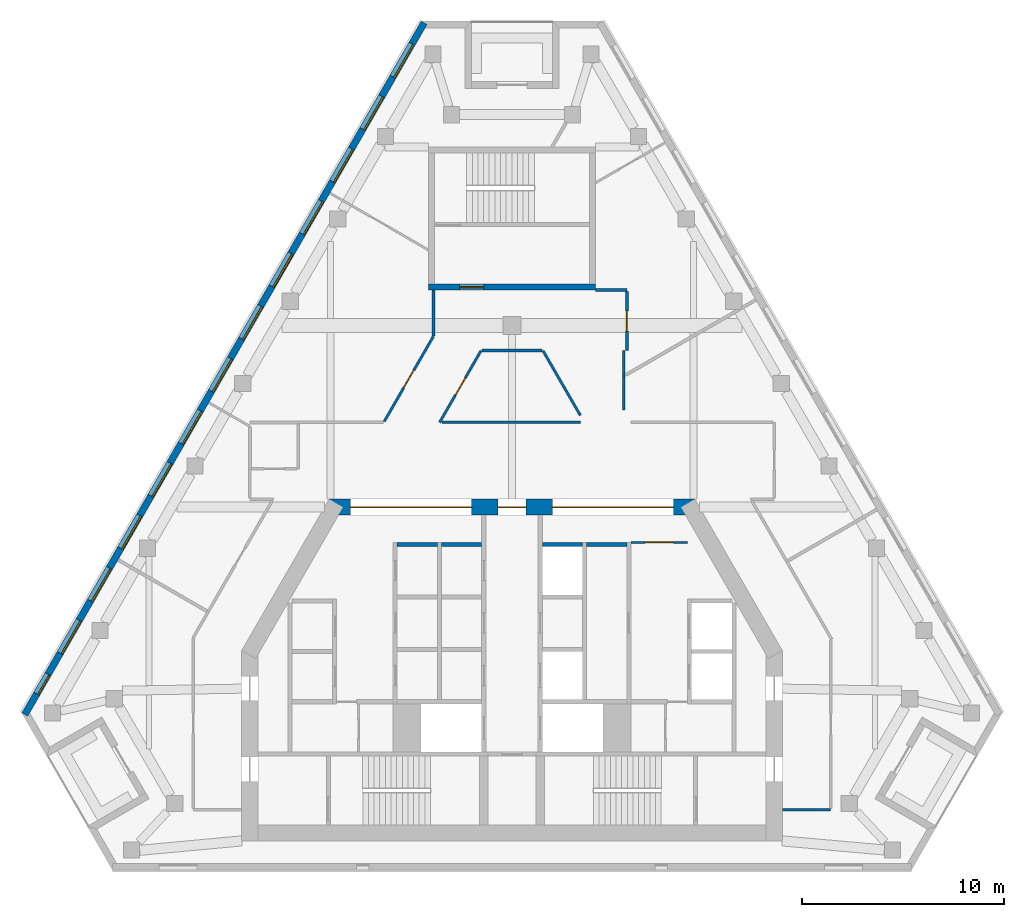
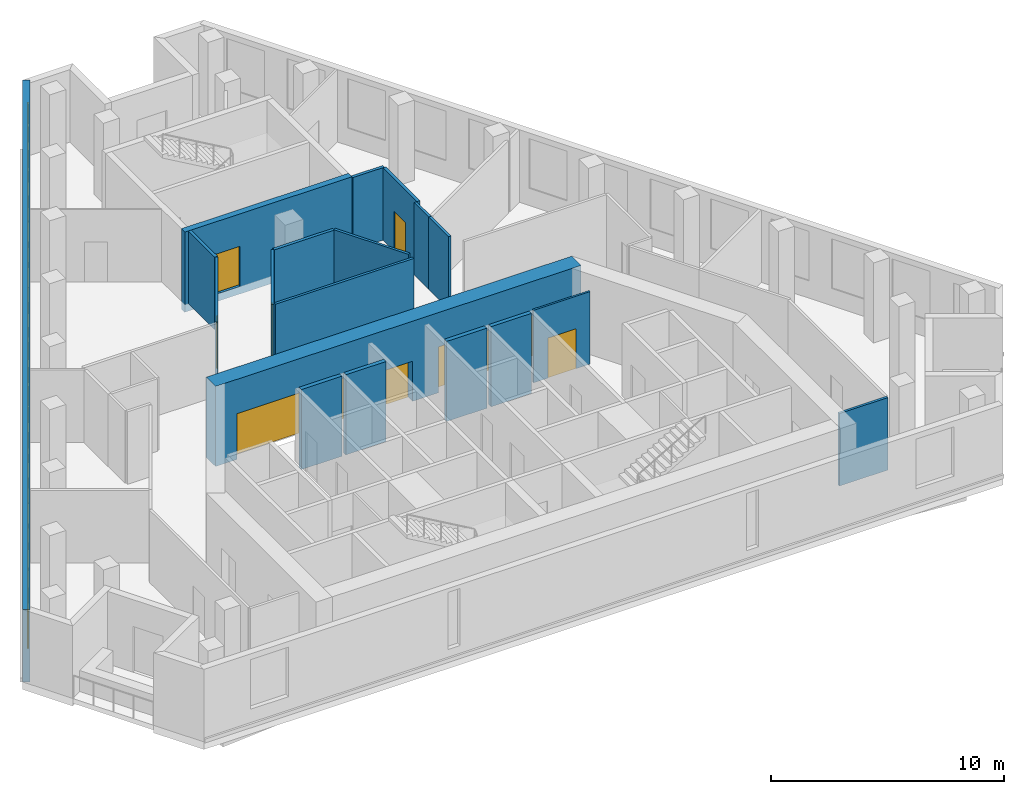
# One storey, part 4 of 8: 19 walls, 13 windows, 8 doors, 21 openings.
"""IFC4 building model written with IfcOpenShell, lengths in metres."""

from ifc_helpers import new_model, si_unit, direction, frame, frame_2d, origin, place, context, subcontext, project, spatial, rectangle, extrude, material, layer, layer_set, type_object, element, fill, save


model = new_model("IFC4")

# Units and contexts
model_context = context("Model", 3, precision=1e-05, world=origin(), true_north=direction((0.0, 1.0)))
body_context = subcontext(model_context, "Body", "Model", "MODEL_VIEW")
ifc_project = project(units=[si_unit("LENGTHUNIT", "METRE"), si_unit("AREAUNIT", "SQUARE_METRE"), si_unit("VOLUMEUNIT", "CUBIC_METRE"), si_unit("PLANEANGLEUNIT", "RADIAN"), si_unit("MASSUNIT", "GRAM", prefix="KILO")], contexts=[model_context])

# Site, building, storey
site_placement = place(None, origin())
site = spatial("IfcSite", under=ifc_project, at=site_placement, CompositionType="ELEMENT")
building_placement = place(site_placement, origin())
building = spatial("IfcBuilding", under=site, at=building_placement, Name="Fogline Exchange Tower", CompositionType="ELEMENT")
storey_placement = place(building_placement, frame((0.0, 0.0, 326.699951171875)))
storey = spatial("IfcBuildingStorey", under=building, at=storey_placement, Name="L74", CompositionType="ELEMENT", Elevation=326.699951171875)

# Wall, opening, door
ifc_material_1 = material(Name="Blockwork partition", Category="masonry")
ifc_layer_1 = layer(ifc_material_1, 0.10009765625)
ifc_layer_set_1 = layer_set([ifc_layer_1], Name="CW10")
wall_type_1 = type_object("IfcWallType", Name="CW10", PredefinedType="PARTITIONING", material=ifc_layer_set_1)
wall_1_placement = place(storey_placement, frame((5.89990234375, 16.25, 0.0), z_axis=(0.0, 0.0, 1.0), x_axis=(1.0, 0.0, 0.0)))
wall_1 = element("IfcWall", 1, at=wall_1_placement, inside=storey, type_object=wall_type_1, Name="Lift lobby partition", PredefinedType="PARTITIONING", context=body_context, shape_type="SweptSolid", body=[
    extrude(rectangle(XDim=2.800048828125, YDim=0.10009765625, at=frame_2d((1.39990234375, 0.0))), origin(), (0.0, 0.0, 1.0), 3.800048828125),
])
opening_1_placement = place(wall_1_placement, frame((0.699951171875, 0.0, 0.0)))
opening_1 = element("IfcOpeningElement", 2, at=opening_1_placement, cuts=wall_1, Name="Opening T23-C017", PredefinedType="OPENING", context=body_context, shape_type="SweptSolid", body=[
    extrude(rectangle(XDim=1.39990234375, YDim=2.10009765625, at=frame_2d((0.699951171875, 1.050048828125))), frame((0.0, 0.06005859375, 0.0), z_axis=(0.0, -1.0, 0.0), x_axis=(1.0, 0.0, 0.0)), (0.0, 0.0, 1.0), 0.1201171875),
])
ifc_material_2 = material(Name="Steel and timber fire door", Category="steel")
door_type_1 = type_object("IfcDoorType", Name="D-LB1", OperationType="DOUBLE_DOOR_SINGLE_SWING", PredefinedType="DOOR", material=ifc_material_2)
door_1_placement = place(opening_1_placement, origin())
door_1 = element("IfcDoor", 3, at=door_1_placement, inside=storey, type_object=door_type_1, Name="Door to lift lobby", OperationType="DOUBLE_DOOR_SINGLE_SWING", OverallHeight=2.10009765625, OverallWidth=1.39990234375, PredefinedType="DOOR", context=body_context, shape_type="SweptSolid", body=[
    extrude(rectangle(XDim=1.39990234375, YDim=2.10009765625, at=frame_2d((0.699951171875, 1.050048828125))), frame((0.0, 0.02490234375, 0.0), z_axis=(0.0, -1.0, 0.0), x_axis=(1.0, 0.0, 0.0)), (0.0, 0.0, 1.0), 0.050048828125),
])
fill(opening_1, door_1)

# Walls
ifc_material_3 = material(Name="Concrete C40", Category="concrete")
ifc_layer_2 = layer(ifc_material_3, 0.199951171875)
ifc_layer_set_2 = layer_set([ifc_layer_2], Name="CW20S")
wall_type_2 = type_object("IfcWallType", Name="CW20S", PredefinedType="SOLIDWALL", material=ifc_layer_set_2)
for number, where, z_axis, x_axis, name in (
    (4, (-5.699951171875, 16.14990234375, -0.39990234375), (0.0, 0.0, 1.0), (1.0, 0.0, 0.0), "Lift shaft wall"),
    (5, (-3.5, 16.14990234375, -0.39990234375), (0.0, 0.0, 1.0), (1.0, 0.0, 0.0), "Lift shaft wall"),
    (6, (3.699951171875, 16.14990234375, -0.39990234375), (0.0, 0.0, 1.0), (1.0, 0.0, 0.0), "Lift shaft wall"),
    (7, (1.5, 16.14990234375, -0.39990234375), (0.0, 0.0, 1.0), (1.0, 0.0, 0.0), "Lift shaft wall"),
):
    element("IfcWall", number, at=place(storey_placement, frame(where, z_axis=z_axis, x_axis=x_axis)), inside=storey, type_object=wall_type_2, Name=name, PredefinedType="SOLIDWALL", context=body_context, shape_type="SweptSolid", body=[
        extrude(rectangle(XDim=2.0, YDim=0.199951171875, at=frame_2d((1.0, 0.0))), origin(), (0.0, 0.0, 1.0), 4.199951171875),
    ])

# Wall, opening, door
ifc_layer_3 = layer(ifc_material_3, 0.300048828125)
ifc_layer_set_3 = layer_set([ifc_layer_3], Name="CW30")
wall_type_3 = type_object("IfcWallType", Name="CW30", PredefinedType="SOLIDWALL", material=ifc_layer_set_3)
wall_2_placement = place(storey_placement, frame((-4.14990234375, 28.906982421875, -0.39990234375), z_axis=(0.0, 0.0, 1.0), x_axis=(1.0, 0.0, 0.0)))
wall_2 = element("IfcWall", 8, at=wall_2_placement, inside=storey, type_object=wall_type_3, Name="Stair enclosure wall ST3", PredefinedType="SOLIDWALL", context=body_context, shape_type="SweptSolid", body=[
    extrude(rectangle(XDim=8.2998046875, YDim=0.300048828125, at=frame_2d((4.14990234375, 0.0))), origin(), (0.0, 0.0, 1.0), 4.199951171875),
])
opening_2_placement = place(wall_2_placement, frame((1.550048828125, 0.0, 0.39990234375)))
opening_2 = element("IfcOpeningElement", 9, at=opening_2_placement, cuts=wall_2, Name="Opening T23-C026", PredefinedType="OPENING", context=body_context, shape_type="SweptSolid", body=[
    extrude(rectangle(XDim=1.199951171875, YDim=2.10009765625, at=frame_2d((0.60009765625, 1.050048828125))), frame((0.0, 0.16015625, 0.0), z_axis=(0.0, -1.0, 0.0), x_axis=(1.0, 0.0, 0.0)), (0.0, 0.0, 1.0), 0.320068359375),
])
door_type_2 = type_object("IfcDoorType", Name="D-FR1", OperationType="SINGLE_SWING_RIGHT", PredefinedType="DOOR", material=ifc_material_2)
door_2_placement = place(opening_2_placement, origin())
door_2 = element("IfcDoor", 10, at=door_2_placement, inside=storey, type_object=door_type_2, Name="Front room door ST3", OperationType="SINGLE_SWING_LEFT", OverallHeight=2.10009765625, OverallWidth=1.199951171875, PredefinedType="DOOR", context=body_context, shape_type="SweptSolid", body=[
    extrude(rectangle(XDim=1.199951171875, YDim=2.10009765625, at=frame_2d((0.60009765625, 1.050048828125))), frame((0.0, 0.02490234375, 0.0), z_axis=(0.0, -1.0, 0.0), x_axis=(1.0, 0.0, 0.0)), (0.0, 0.0, 1.0), 0.050048828125),
])
fill(opening_2, door_2)

# Wall, openings, windows
ifc_material_4 = material(Name="Brick masonry", Category="masonry")
ifc_layer_4 = layer(ifc_material_4, 0.340087890625)
ifc_layer_set_4 = layer_set([ifc_layer_4], Name="FW1")
wall_type_4 = type_object("IfcWallType", Name="FW1", PredefinedType="SOLIDWALL", material=ifc_layer_set_4)
wall_3_placement = place(storey_placement, frame((-4.352783203125, 42.0166015625, 0.0), z_axis=(0.0, 0.0, 1.0), x_axis=(-0.500000037544, -0.866025382108, 0.0)))
wall_3 = element("IfcWall", 11, at=wall_3_placement, inside=storey, type_object=wall_type_4, Name="Brick wall L74 W", PredefinedType="SOLIDWALL", context=body_context, shape_type="SweptSolid", body=[
    extrude(rectangle(XDim=39.61474609375, YDim=0.340087890625, at=frame_2d((19.807373046875, 0.0))), origin(), (0.0, 0.0, 1.0), 3.800048828125),
])
opening_3_placement = place(wall_3_placement, frame((1.211181640625, 0.0, 0.89990234375)))
opening_3 = element("IfcOpeningElement", 12, at=opening_3_placement, cuts=wall_3, Name="Opening W3", PredefinedType="OPENING", context=body_context, shape_type="SweptSolid", body=[
    extrude(rectangle(XDim=1.885009765625, YDim=2.60009765625, at=frame_2d((0.9423828125, 1.300048828125))), frame((0.0, 0.18017578125, 0.0), z_axis=(0.0, -1.0, 0.0), x_axis=(1.0, 0.0, 0.0)), (0.0, 0.0, 1.0), 0.360107421875),
])
opening_4_placement = place(wall_3_placement, frame((4.211181640625, 0.0, 0.89990234375)))
opening_4 = element("IfcOpeningElement", 13, at=opening_4_placement, cuts=wall_3, Name="Opening W3", PredefinedType="OPENING", context=body_context, shape_type="SweptSolid", body=[
    extrude(rectangle(XDim=1.885009765625, YDim=2.60009765625, at=frame_2d((0.9423828125, 1.300048828125))), frame((0.0, 0.18017578125, 0.0), z_axis=(0.0, -1.0, 0.0), x_axis=(1.0, 0.0, 0.0)), (0.0, 0.0, 1.0), 0.360107421875),
])
opening_5_placement = place(wall_3_placement, frame((7.211181640625, 0.0, 0.89990234375)))
opening_5 = element("IfcOpeningElement", 14, at=opening_5_placement, cuts=wall_3, Name="Opening W3", PredefinedType="OPENING", context=body_context, shape_type="SweptSolid", body=[
    extrude(rectangle(XDim=1.885009765625, YDim=2.60009765625, at=frame_2d((0.9423828125, 1.300048828125))), frame((0.0, 0.18017578125, 0.0), z_axis=(0.0, -1.0, 0.0), x_axis=(1.0, 0.0, 0.0)), (0.0, 0.0, 1.0), 0.360107421875),
])
opening_6_placement = place(wall_3_placement, frame((10.211181640625, 0.0, 0.89990234375)))
opening_6 = element("IfcOpeningElement", 15, at=opening_6_placement, cuts=wall_3, Name="Opening W3", PredefinedType="OPENING", context=body_context, shape_type="SweptSolid", body=[
    extrude(rectangle(XDim=1.885009765625, YDim=2.60009765625, at=frame_2d((0.9423828125, 1.300048828125))), frame((0.0, 0.18017578125, 0.0), z_axis=(0.0, -1.0, 0.0), x_axis=(1.0, 0.0, 0.0)), (0.0, 0.0, 1.0), 0.360107421875),
])
opening_7_placement = place(wall_3_placement, frame((13.211181640625, 0.0, 0.89990234375)))
opening_7 = element("IfcOpeningElement", 16, at=opening_7_placement, cuts=wall_3, Name="Opening W3", PredefinedType="OPENING", context=body_context, shape_type="SweptSolid", body=[
    extrude(rectangle(XDim=1.885009765625, YDim=2.60009765625, at=frame_2d((0.9423828125, 1.300048828125))), frame((0.0, 0.18017578125, 0.0), z_axis=(0.0, -1.0, 0.0), x_axis=(1.0, 0.0, 0.0)), (0.0, 0.0, 1.0), 0.360107421875),
])
opening_8_placement = place(wall_3_placement, frame((16.211181640625, 0.0, 0.89990234375)))
opening_8 = element("IfcOpeningElement", 17, at=opening_8_placement, cuts=wall_3, Name="Opening W3", PredefinedType="OPENING", context=body_context, shape_type="SweptSolid", body=[
    extrude(rectangle(XDim=1.885009765625, YDim=2.60009765625, at=frame_2d((0.9423828125, 1.300048828125))), frame((0.0, 0.18017578125, 0.0), z_axis=(0.0, -1.0, 0.0), x_axis=(1.0, 0.0, 0.0)), (0.0, 0.0, 1.0), 0.360107421875),
])
opening_9_placement = place(wall_3_placement, frame((19.211181640625, 0.0, 0.89990234375)))
opening_9 = element("IfcOpeningElement", 18, at=opening_9_placement, cuts=wall_3, Name="Opening W3", PredefinedType="OPENING", context=body_context, shape_type="SweptSolid", body=[
    extrude(rectangle(XDim=1.885009765625, YDim=2.60009765625, at=frame_2d((0.9423828125, 1.300048828125))), frame((0.0, 0.18017578125, 0.0), z_axis=(0.0, -1.0, 0.0), x_axis=(1.0, 0.0, 0.0)), (0.0, 0.0, 1.0), 0.360107421875),
])
opening_10_placement = place(wall_3_placement, frame((22.211181640625, 0.0, 0.89990234375)))
opening_10 = element("IfcOpeningElement", 19, at=opening_10_placement, cuts=wall_3, Name="Opening W3", PredefinedType="OPENING", context=body_context, shape_type="SweptSolid", body=[
    extrude(rectangle(XDim=1.885009765625, YDim=2.60009765625, at=frame_2d((0.9423828125, 1.300048828125))), frame((0.0, 0.18017578125, 0.0), z_axis=(0.0, -1.0, 0.0), x_axis=(1.0, 0.0, 0.0)), (0.0, 0.0, 1.0), 0.360107421875),
])
opening_11_placement = place(wall_3_placement, frame((25.211181640625, 0.0, 0.89990234375)))
opening_11 = element("IfcOpeningElement", 20, at=opening_11_placement, cuts=wall_3, Name="Opening W3", PredefinedType="OPENING", context=body_context, shape_type="SweptSolid", body=[
    extrude(rectangle(XDim=1.885009765625, YDim=2.60009765625, at=frame_2d((0.9423828125, 1.300048828125))), frame((0.0, 0.18017578125, 0.0), z_axis=(0.0, -1.0, 0.0), x_axis=(1.0, 0.0, 0.0)), (0.0, 0.0, 1.0), 0.360107421875),
])
opening_12_placement = place(wall_3_placement, frame((28.211181640625, 0.0, 0.89990234375)))
opening_12 = element("IfcOpeningElement", 21, at=opening_12_placement, cuts=wall_3, Name="Opening W3", PredefinedType="OPENING", context=body_context, shape_type="SweptSolid", body=[
    extrude(rectangle(XDim=1.885009765625, YDim=2.60009765625, at=frame_2d((0.9423828125, 1.300048828125))), frame((0.0, 0.18017578125, 0.0), z_axis=(0.0, -1.0, 0.0), x_axis=(1.0, 0.0, 0.0)), (0.0, 0.0, 1.0), 0.360107421875),
])
opening_13_placement = place(wall_3_placement, frame((31.211181640625, 0.0, 0.89990234375)))
opening_13 = element("IfcOpeningElement", 22, at=opening_13_placement, cuts=wall_3, Name="Opening W3", PredefinedType="OPENING", context=body_context, shape_type="SweptSolid", body=[
    extrude(rectangle(XDim=1.885009765625, YDim=2.60009765625, at=frame_2d((0.9423828125, 1.300048828125))), frame((0.0, 0.18017578125, 0.0), z_axis=(0.0, -1.0, 0.0), x_axis=(1.0, 0.0, 0.0)), (0.0, 0.0, 1.0), 0.360107421875),
])
opening_14_placement = place(wall_3_placement, frame((34.211181640625, 0.0, 0.89990234375)))
opening_14 = element("IfcOpeningElement", 23, at=opening_14_placement, cuts=wall_3, Name="Opening W3", PredefinedType="OPENING", context=body_context, shape_type="SweptSolid", body=[
    extrude(rectangle(XDim=1.885009765625, YDim=2.60009765625, at=frame_2d((0.9423828125, 1.300048828125))), frame((0.0, 0.18017578125, 0.0), z_axis=(0.0, -1.0, 0.0), x_axis=(1.0, 0.0, 0.0)), (0.0, 0.0, 1.0), 0.360107421875),
])
opening_15_placement = place(wall_3_placement, frame((37.2978515625, 0.0, 0.89990234375)))
opening_15 = element("IfcOpeningElement", 24, at=opening_15_placement, cuts=wall_3, Name="Opening W4", PredefinedType="OPENING", context=body_context, shape_type="SweptSolid", body=[
    extrude(rectangle(XDim=1.114990234375, YDim=2.39990234375, at=frame_2d((0.5576171875, 1.199951171875))), frame((0.0, 0.18017578125, 0.0), z_axis=(0.0, -1.0, 0.0), x_axis=(1.0, 0.0, 0.0)), (0.0, 0.0, 1.0), 0.360107421875),
])
ifc_material_5 = material(Name="Aluminium and glass", Category="aluminium")
window_type_1 = type_object("IfcWindowType", Name="W3", PartitioningType="SINGLE_PANEL", PredefinedType="WINDOW", material=ifc_material_5)
window_1_placement = place(opening_3_placement, origin())
window_1 = element("IfcWindow", 25, at=window_1_placement, inside=storey, type_object=window_type_1, Name="W3 W3", OverallHeight=2.60009765625, OverallWidth=1.885009765625, PartitioningType="SINGLE_PANEL", PredefinedType="WINDOW", context=body_context, shape_type="SweptSolid", body=[
    extrude(rectangle(XDim=1.885009765625, YDim=2.60009765625, at=frame_2d((0.9423828125, 1.300048828125))), frame((0.0, 0.110107421875, 0.0), z_axis=(0.0, -1.0, 0.0), x_axis=(1.0, 0.0, 0.0)), (0.0, 0.0, 1.0), 0.06005859375),
])
fill(opening_3, window_1)
window_2_placement = place(opening_4_placement, origin())
window_2 = element("IfcWindow", 26, at=window_2_placement, inside=storey, type_object=window_type_1, Name="W3 W3", OverallHeight=2.60009765625, OverallWidth=1.885009765625, PartitioningType="SINGLE_PANEL", PredefinedType="WINDOW", context=body_context, shape_type="SweptSolid", body=[
    extrude(rectangle(XDim=1.885009765625, YDim=2.60009765625, at=frame_2d((0.9423828125, 1.300048828125))), frame((0.0, 0.110107421875, 0.0), z_axis=(0.0, -1.0, 0.0), x_axis=(1.0, 0.0, 0.0)), (0.0, 0.0, 1.0), 0.06005859375),
])
fill(opening_4, window_2)
window_3_placement = place(opening_5_placement, origin())
window_3 = element("IfcWindow", 27, at=window_3_placement, inside=storey, type_object=window_type_1, Name="W3 W3", OverallHeight=2.60009765625, OverallWidth=1.885009765625, PartitioningType="SINGLE_PANEL", PredefinedType="WINDOW", context=body_context, shape_type="SweptSolid", body=[
    extrude(rectangle(XDim=1.885009765625, YDim=2.60009765625, at=frame_2d((0.9423828125, 1.300048828125))), frame((0.0, 0.110107421875, 0.0), z_axis=(0.0, -1.0, 0.0), x_axis=(1.0, 0.0, 0.0)), (0.0, 0.0, 1.0), 0.06005859375),
])
fill(opening_5, window_3)
window_4_placement = place(opening_6_placement, origin())
window_4 = element("IfcWindow", 28, at=window_4_placement, inside=storey, type_object=window_type_1, Name="W3 W3", OverallHeight=2.60009765625, OverallWidth=1.885009765625, PartitioningType="SINGLE_PANEL", PredefinedType="WINDOW", context=body_context, shape_type="SweptSolid", body=[
    extrude(rectangle(XDim=1.885009765625, YDim=2.60009765625, at=frame_2d((0.9423828125, 1.300048828125))), frame((0.0, 0.110107421875, 0.0), z_axis=(0.0, -1.0, 0.0), x_axis=(1.0, 0.0, 0.0)), (0.0, 0.0, 1.0), 0.06005859375),
])
fill(opening_6, window_4)
window_5_placement = place(opening_7_placement, origin())
window_5 = element("IfcWindow", 29, at=window_5_placement, inside=storey, type_object=window_type_1, Name="W3 W3", OverallHeight=2.60009765625, OverallWidth=1.885009765625, PartitioningType="SINGLE_PANEL", PredefinedType="WINDOW", context=body_context, shape_type="SweptSolid", body=[
    extrude(rectangle(XDim=1.885009765625, YDim=2.60009765625, at=frame_2d((0.9423828125, 1.300048828125))), frame((0.0, 0.110107421875, 0.0), z_axis=(0.0, -1.0, 0.0), x_axis=(1.0, 0.0, 0.0)), (0.0, 0.0, 1.0), 0.06005859375),
])
fill(opening_7, window_5)
window_6_placement = place(opening_8_placement, origin())
window_6 = element("IfcWindow", 30, at=window_6_placement, inside=storey, type_object=window_type_1, Name="W3 W3", OverallHeight=2.60009765625, OverallWidth=1.885009765625, PartitioningType="SINGLE_PANEL", PredefinedType="WINDOW", context=body_context, shape_type="SweptSolid", body=[
    extrude(rectangle(XDim=1.885009765625, YDim=2.60009765625, at=frame_2d((0.9423828125, 1.300048828125))), frame((0.0, 0.110107421875, 0.0), z_axis=(0.0, -1.0, 0.0), x_axis=(1.0, 0.0, 0.0)), (0.0, 0.0, 1.0), 0.06005859375),
])
fill(opening_8, window_6)
window_7_placement = place(opening_9_placement, origin())
window_7 = element("IfcWindow", 31, at=window_7_placement, inside=storey, type_object=window_type_1, Name="W3 W3", OverallHeight=2.60009765625, OverallWidth=1.885009765625, PartitioningType="SINGLE_PANEL", PredefinedType="WINDOW", context=body_context, shape_type="SweptSolid", body=[
    extrude(rectangle(XDim=1.885009765625, YDim=2.60009765625, at=frame_2d((0.9423828125, 1.300048828125))), frame((0.0, 0.110107421875, 0.0), z_axis=(0.0, -1.0, 0.0), x_axis=(1.0, 0.0, 0.0)), (0.0, 0.0, 1.0), 0.06005859375),
])
fill(opening_9, window_7)
window_8_placement = place(opening_10_placement, origin())
window_8 = element("IfcWindow", 32, at=window_8_placement, inside=storey, type_object=window_type_1, Name="W3 W3", OverallHeight=2.60009765625, OverallWidth=1.885009765625, PartitioningType="SINGLE_PANEL", PredefinedType="WINDOW", context=body_context, shape_type="SweptSolid", body=[
    extrude(rectangle(XDim=1.885009765625, YDim=2.60009765625, at=frame_2d((0.9423828125, 1.300048828125))), frame((0.0, 0.110107421875, 0.0), z_axis=(0.0, -1.0, 0.0), x_axis=(1.0, 0.0, 0.0)), (0.0, 0.0, 1.0), 0.06005859375),
])
fill(opening_10, window_8)
window_9_placement = place(opening_11_placement, origin())
window_9 = element("IfcWindow", 33, at=window_9_placement, inside=storey, type_object=window_type_1, Name="W3 W3", OverallHeight=2.60009765625, OverallWidth=1.885009765625, PartitioningType="SINGLE_PANEL", PredefinedType="WINDOW", context=body_context, shape_type="SweptSolid", body=[
    extrude(rectangle(XDim=1.885009765625, YDim=2.60009765625, at=frame_2d((0.9423828125, 1.300048828125))), frame((0.0, 0.110107421875, 0.0), z_axis=(0.0, -1.0, 0.0), x_axis=(1.0, 0.0, 0.0)), (0.0, 0.0, 1.0), 0.06005859375),
])
fill(opening_11, window_9)
window_10_placement = place(opening_12_placement, origin())
window_10 = element("IfcWindow", 34, at=window_10_placement, inside=storey, type_object=window_type_1, Name="W3 W3", OverallHeight=2.60009765625, OverallWidth=1.885009765625, PartitioningType="SINGLE_PANEL", PredefinedType="WINDOW", context=body_context, shape_type="SweptSolid", body=[
    extrude(rectangle(XDim=1.885009765625, YDim=2.60009765625, at=frame_2d((0.9423828125, 1.300048828125))), frame((0.0, 0.110107421875, 0.0), z_axis=(0.0, -1.0, 0.0), x_axis=(1.0, 0.0, 0.0)), (0.0, 0.0, 1.0), 0.06005859375),
])
fill(opening_12, window_10)
window_11_placement = place(opening_13_placement, origin())
window_11 = element("IfcWindow", 35, at=window_11_placement, inside=storey, type_object=window_type_1, Name="W3 W3", OverallHeight=2.60009765625, OverallWidth=1.885009765625, PartitioningType="SINGLE_PANEL", PredefinedType="WINDOW", context=body_context, shape_type="SweptSolid", body=[
    extrude(rectangle(XDim=1.885009765625, YDim=2.60009765625, at=frame_2d((0.9423828125, 1.300048828125))), frame((0.0, 0.110107421875, 0.0), z_axis=(0.0, -1.0, 0.0), x_axis=(1.0, 0.0, 0.0)), (0.0, 0.0, 1.0), 0.06005859375),
])
fill(opening_13, window_11)
window_12_placement = place(opening_14_placement, origin())
window_12 = element("IfcWindow", 36, at=window_12_placement, inside=storey, type_object=window_type_1, Name="W3 W3", OverallHeight=2.60009765625, OverallWidth=1.885009765625, PartitioningType="SINGLE_PANEL", PredefinedType="WINDOW", context=body_context, shape_type="SweptSolid", body=[
    extrude(rectangle(XDim=1.885009765625, YDim=2.60009765625, at=frame_2d((0.9423828125, 1.300048828125))), frame((0.0, 0.110107421875, 0.0), z_axis=(0.0, -1.0, 0.0), x_axis=(1.0, 0.0, 0.0)), (0.0, 0.0, 1.0), 0.06005859375),
])
fill(opening_14, window_12)
window_type_2 = type_object("IfcWindowType", Name="W4", PartitioningType="SINGLE_PANEL", PredefinedType="WINDOW", material=ifc_material_5)
window_13_placement = place(opening_15_placement, origin())
window_13 = element("IfcWindow", 37, at=window_13_placement, inside=storey, type_object=window_type_2, Name="W4 W4", OverallHeight=2.39990234375, OverallWidth=1.114990234375, PartitioningType="SINGLE_PANEL", PredefinedType="WINDOW", context=body_context, shape_type="SweptSolid", body=[
    extrude(rectangle(XDim=1.114990234375, YDim=2.39990234375, at=frame_2d((0.5576171875, 1.199951171875))), frame((0.0, 0.110107421875, 0.0), z_axis=(0.0, -1.0, 0.0), x_axis=(1.0, 0.0, 0.0)), (0.0, 0.0, 1.0), 0.06005859375),
])
fill(opening_15, window_13)

# Walls
ifc_material_6 = material(Name="Plasterboard corridor partition with mineral wool, 2 layers each side")
ifc_layer_5 = layer(ifc_material_6, 0.125)
ifc_layer_set_5 = layer_set([ifc_layer_5], Name="PW2")
wall_type_5 = type_object("IfcWallType", Name="PW2", PredefinedType="PARTITIONING", material=ifc_layer_set_5)
wall_4_placement = place(storey_placement, frame((15.800048828125, 3.0, 0.0), z_axis=(0.0, 0.0, 1.0), x_axis=(-1.0, 0.0, 0.0)))
element("IfcWall", 38, at=wall_4_placement, inside=storey, type_object=wall_type_5, Name="wall-L74-W004", PredefinedType="PARTITIONING", context=body_context, shape_type="SweptSolid", body=[
    extrude(rectangle(XDim=2.400146484375, YDim=0.125, at=frame_2d((1.2001953125, 0.0))), origin(), (0.0, 0.0, 1.0), 3.800048828125),
])
wall_5_placement = place(storey_placement, frame((-3.47998046875, 22.199951171875, 0.0), z_axis=(0.0, 0.0, 1.0), x_axis=(1.0, 0.0, 0.0)))
element("IfcWall", 39, at=wall_5_placement, inside=storey, type_object=wall_type_5, Name="wall-L74-W008", PredefinedType="PARTITIONING", context=body_context, shape_type="SweptSolid", body=[
    extrude(rectangle(XDim=6.867431640625, YDim=0.125, at=frame_2d((3.43359375, 0.0))), origin(), (0.0, 0.0, 1.0), 3.800048828125),
])
wall_6_placement = place(storey_placement, frame((5.550048828125, 24.5, 0.0), z_axis=(0.0, 0.0, 1.0), x_axis=(0.0, -1.0, 0.0)))
element("IfcWall", 40, at=wall_6_placement, inside=storey, type_object=wall_type_5, Name="wall-L74-W022", PredefinedType="PARTITIONING", context=body_context, shape_type="SweptSolid", body=[
    extrude(rectangle(XDim=1.697021484375, YDim=0.125, at=frame_2d((0.8486328125, 0.0))), origin(), (0.0, 0.0, 1.0), 3.800048828125),
])
wall_7_placement = place(storey_placement, frame((5.550048828125, 25.757080078125, 0.0), z_axis=(0.0, 0.0, 1.0), x_axis=(0.0, -1.0, 0.0)))
element("IfcWall", 41, at=wall_7_placement, inside=storey, type_object=wall_type_5, Name="wall-L74-W023", PredefinedType="PARTITIONING", context=body_context, shape_type="SweptSolid", body=[
    extrude(rectangle(XDim=1.257080078125, YDim=0.125, at=frame_2d((0.62841796875, 0.0))), origin(), (0.0, 0.0, 1.0), 3.800048828125),
])

# Wall, opening, door
wall_8_placement = place(storey_placement, frame((-1.53515625, 25.757080078125, 0.0), z_axis=(0.0, 0.0, 1.0), x_axis=(-0.499955712069, -0.866050971923, 0.0)))
wall_8 = element("IfcWall", 42, at=wall_8_placement, inside=storey, type_object=wall_type_5, Name="wall-L74-W024", PredefinedType="PARTITIONING", context=body_context, shape_type="SweptSolid", body=[
    extrude(rectangle(XDim=4.107177734375, YDim=0.125, at=frame_2d((2.0537109375, 0.0))), origin(), (0.0, 0.0, 1.0), 3.800048828125),
])
opening_16_placement = place(wall_8_placement, frame((1.5537109375, 0.0, 0.0)))
opening_16 = element("IfcOpeningElement", 43, at=opening_16_placement, cuts=wall_8, Name="Opening T23-D007", PredefinedType="OPENING", context=body_context, shape_type="SweptSolid", body=[
    extrude(rectangle(XDim=1.0, YDim=2.10009765625, at=frame_2d((0.5, 1.050048828125))), frame((0.0, 0.072509765625, 0.0), z_axis=(0.0, -1.0, 0.0), x_axis=(1.0, 0.0, 0.0)), (0.0, 0.0, 1.0), 0.14501953125),
])
ifc_material_7 = material(Name="Fire-rated timber door leaf with steel frame", Category="steel")
door_type_3 = type_object("IfcDoorType", Name="D3", OperationType="SINGLE_SWING_LEFT", PredefinedType="DOOR", material=ifc_material_7)
door_3_placement = place(opening_16_placement, origin())
door_3 = element("IfcDoor", 44, at=door_3_placement, inside=storey, type_object=door_type_3, Name="door-L74-D007", OperationType="SINGLE_SWING_LEFT", OverallHeight=2.10009765625, OverallWidth=1.0, PredefinedType="DOOR", context=body_context, shape_type="SweptSolid", body=[
    extrude(rectangle(XDim=1.0, YDim=2.10009765625, at=frame_2d((0.5, 1.050048828125))), frame((0.0, 0.02490234375, 0.0), z_axis=(0.0, -1.0, 0.0), x_axis=(1.0, 0.0, 0.0)), (0.0, 0.0, 1.0), 0.050048828125),
])
fill(opening_16, door_3)

wall_9_placement = place(storey_placement, frame((-6.3330078125, 22.246826171875, 0.0), z_axis=(0.0, 0.0, 1.0), x_axis=(0.500013433606, 0.86601764775, 0.0)))
wall_9 = element("IfcWall", 45, at=wall_9_placement, inside=storey, type_object=wall_type_5, Name="wall-L74-W025", PredefinedType="PARTITIONING", context=body_context, shape_type="SweptSolid", body=[
    extrude(rectangle(XDim=4.865966796875, YDim=0.125, at=frame_2d((2.43310546875, 0.0))), origin(), (0.0, 0.0, 1.0), 3.800048828125),
])
opening_17_placement = place(wall_9_placement, frame((1.93310546875, 0.0, 0.0)))
opening_17 = element("IfcOpeningElement", 46, at=opening_17_placement, cuts=wall_9, Name="Opening T23-D008", PredefinedType="OPENING", context=body_context, shape_type="SweptSolid", body=[
    extrude(rectangle(XDim=1.0, YDim=2.10009765625, at=frame_2d((0.5, 1.050048828125))), frame((0.0, 0.072509765625, 0.0), z_axis=(0.0, -1.0, 0.0), x_axis=(1.0, 0.0, 0.0)), (0.0, 0.0, 1.0), 0.14501953125),
])
door_4_placement = place(opening_17_placement, origin())
door_4 = element("IfcDoor", 47, at=door_4_placement, inside=storey, type_object=door_type_3, Name="door-L74-D008", OperationType="SINGLE_SWING_LEFT", OverallHeight=2.10009765625, OverallWidth=1.0, PredefinedType="DOOR", context=body_context, shape_type="SweptSolid", body=[
    extrude(rectangle(XDim=1.0, YDim=2.10009765625, at=frame_2d((0.5, 1.050048828125))), frame((0.0, 0.02490234375, 0.0), z_axis=(0.0, -1.0, 0.0), x_axis=(1.0, 0.0, 0.0)), (0.0, 0.0, 1.0), 0.050048828125),
])
fill(opening_17, door_4)

# Walls
wall_10_placement = place(storey_placement, frame((3.387451171875, 22.548583984375, 0.0), z_axis=(0.0, 0.0, 1.0), x_axis=(-0.499973447315, 0.866040733441, 0.0)))
element("IfcWall", 48, at=wall_10_placement, inside=storey, type_object=wall_type_5, Name="wall-L74-W026", PredefinedType="PARTITIONING", context=body_context, shape_type="SweptSolid", body=[
    extrude(rectangle(XDim=3.704833984375, YDim=0.125, at=frame_2d((1.8525390625, 0.0))), origin(), (0.0, 0.0, 1.0), 3.800048828125),
])
ifc_material_8 = material(Name="Plasterboard stair lobby partition, 3 layers each side on steel studs", Category="steel")
ifc_layer_6 = layer(ifc_material_8, 0.14990234375)
ifc_layer_set_6 = layer_set([ifc_layer_6], Name="PW4")
wall_type_6 = type_object("IfcWallType", Name="PW4", PredefinedType="PARTITIONING", material=ifc_layer_set_6)
wall_11_placement = place(storey_placement, frame((4.14990234375, 28.757080078125, 0.0), z_axis=(0.0, 0.0, 1.0), x_axis=(1.0, 0.0, 0.0)))
element("IfcWall", 49, at=wall_11_placement, inside=storey, type_object=wall_type_6, Name="wall-L74-W018", PredefinedType="PARTITIONING", context=body_context, shape_type="SweptSolid", body=[
    extrude(rectangle(XDim=1.550048828125, YDim=0.14990234375, at=frame_2d((0.77490234375, 0.0))), origin(), (0.0, 0.0, 1.0), 3.800048828125),
])

# Wall, opening, door
wall_12_placement = place(storey_placement, frame((5.699951171875, 28.681884765625, 0.0), z_axis=(0.0, 0.0, 1.0), x_axis=(0.0, -1.0, 0.0)))
wall_12 = element("IfcWall", 50, at=wall_12_placement, inside=storey, type_object=wall_type_6, Name="wall-L74-W019", PredefinedType="PARTITIONING", context=body_context, shape_type="SweptSolid", body=[
    extrude(rectangle(XDim=2.9248046875, YDim=0.14990234375, at=frame_2d((1.46240234375, 0.0))), origin(), (0.0, 0.0, 1.0), 3.800048828125),
])
opening_18_placement = place(wall_12_placement, frame((0.96240234375, 0.0, 0.0)))
opening_18 = element("IfcOpeningElement", 51, at=opening_18_placement, cuts=wall_12, Name="Opening T23-D006", PredefinedType="OPENING", context=body_context, shape_type="SweptSolid", body=[
    extrude(rectangle(XDim=1.0, YDim=2.10009765625, at=frame_2d((0.5, 1.050048828125))), frame((0.0, 0.0849609375, 0.0), z_axis=(0.0, -1.0, 0.0), x_axis=(1.0, 0.0, 0.0)), (0.0, 0.0, 1.0), 0.169921875),
])
door_5_placement = place(opening_18_placement, origin())
door_5 = element("IfcDoor", 52, at=door_5_placement, inside=storey, type_object=door_type_3, Name="door-L74-D006", OperationType="SINGLE_SWING_LEFT", OverallHeight=2.10009765625, OverallWidth=1.0, PredefinedType="DOOR", context=body_context, shape_type="SweptSolid", body=[
    extrude(rectangle(XDim=1.0, YDim=2.10009765625, at=frame_2d((0.5, 1.050048828125))), frame((0.0, 0.02490234375, 0.0), z_axis=(0.0, -1.0, 0.0), x_axis=(1.0, 0.0, 0.0)), (0.0, 0.0, 1.0), 0.050048828125),
])
fill(opening_18, door_5)

# Walls
wall_13_placement = place(storey_placement, frame((1.481201171875, 25.757080078125, 0.0), z_axis=(0.0, 0.0, 1.0), x_axis=(-1.0, 0.0, 0.0)))
element("IfcWall", 53, at=wall_13_placement, inside=storey, type_object=wall_type_6, Name="wall-L74-W020", PredefinedType="PARTITIONING", context=body_context, shape_type="SweptSolid", body=[
    extrude(rectangle(XDim=2.962158203125, YDim=0.14990234375, at=frame_2d((1.48095703125, 0.0))), origin(), (0.0, 0.0, 1.0), 3.800048828125),
])
wall_14_placement = place(storey_placement, frame((-3.89990234375, 26.491943359375, 0.0), z_axis=(0.0, 0.0, 1.0), x_axis=(0.0, 1.0, 0.0)))
element("IfcWall", 54, at=wall_14_placement, inside=storey, type_object=wall_type_6, Name="wall-L74-W021", PredefinedType="PARTITIONING", context=body_context, shape_type="SweptSolid", body=[
    extrude(rectangle(XDim=2.26513671875, YDim=0.14990234375, at=frame_2d((1.132568359375, 0.0))), origin(), (0.0, 0.0, 1.0), 3.800048828125),
])

# Wall, openings, doors
ifc_material_9 = material(Name="Concrete C50", Category="concrete")
ifc_layer_7 = layer(ifc_material_9, 0.800048828125)
ifc_layer_set_7 = layer_set([ifc_layer_7], Name="SW04")
wall_type_7 = type_object("IfcWallType", Name="SW04", PredefinedType="SHEAR", material=ifc_layer_set_7)
wall_15_placement = place(storey_placement, frame((9.065185546875, 18.0, 0.0), z_axis=(0.0, 0.0, 1.0), x_axis=(-1.0, 0.0, 0.0)))
wall_15 = element("IfcWall", 55, at=wall_15_placement, inside=storey, type_object=wall_type_7, Name="L74-W904", PredefinedType="SHEAR", context=body_context, shape_type="SweptSolid", body=[
    extrude(rectangle(XDim=18.13037109375, YDim=0.800048828125, at=frame_2d((9.065185546875, 0.0))), origin(), (0.0, 0.0, 1.0), 4.199951171875),
])
opening_19_placement = place(wall_15_placement, frame((8.364990234375, 0.0, 0.0)))
opening_19 = element("IfcOpeningElement", 56, at=opening_19_placement, cuts=wall_15, Name="Opening T23-C023", PredefinedType="OPENING", context=body_context, shape_type="SweptSolid", body=[
    extrude(rectangle(XDim=1.39990234375, YDim=2.10009765625, at=frame_2d((0.699951171875, 1.050048828125))), frame((0.0, 0.41015625, 0.0), z_axis=(0.0, -1.0, 0.0), x_axis=(1.0, 0.0, 0.0)), (0.0, 0.0, 1.0), 0.820068359375),
])
opening_20_placement = place(wall_15_placement, frame((11.065185546875, 0.0, 0.0)))
opening_20 = element("IfcOpeningElement", 57, at=opening_20_placement, cuts=wall_15, Name="Opening T23-C024", PredefinedType="OPENING", context=body_context, shape_type="SweptSolid", body=[
    extrude(rectangle(XDim=6.0, YDim=2.39990234375, at=frame_2d((3.0, 1.199951171875))), frame((0.0, 0.41015625, 0.0), z_axis=(0.0, -1.0, 0.0), x_axis=(1.0, 0.0, 0.0)), (0.0, 0.0, 1.0), 0.820068359375),
])
opening_21_placement = place(wall_15_placement, frame((1.065185546875, 0.0, 0.0)))
opening_21 = element("IfcOpeningElement", 58, at=opening_21_placement, cuts=wall_15, Name="Opening T23-C025", PredefinedType="OPENING", context=body_context, shape_type="SweptSolid", body=[
    extrude(rectangle(XDim=6.0, YDim=2.39990234375, at=frame_2d((3.0, 1.199951171875))), frame((0.0, 0.41015625, 0.0), z_axis=(0.0, -1.0, 0.0), x_axis=(1.0, 0.0, 0.0)), (0.0, 0.0, 1.0), 0.820068359375),
])
door_6_placement = place(opening_19_placement, origin())
door_6 = element("IfcDoor", 59, at=door_6_placement, inside=storey, type_object=door_type_1, Name="Protected lobby door", OperationType="DOUBLE_DOOR_SINGLE_SWING", OverallHeight=2.10009765625, OverallWidth=1.39990234375, PredefinedType="DOOR", context=body_context, shape_type="SweptSolid", body=[
    extrude(rectangle(XDim=1.39990234375, YDim=2.10009765625, at=frame_2d((0.699951171875, 1.050048828125))), frame((0.0, 0.02490234375, 0.0), z_axis=(0.0, -1.0, 0.0), x_axis=(1.0, 0.0, 0.0)), (0.0, 0.0, 1.0), 0.050048828125),
])
fill(opening_19, door_6)
door_type_4 = type_object("IfcDoorType", Name="D-LE1", OperationType="DOUBLE_DOOR_SLIDING", PredefinedType="DOOR", material=ifc_material_2)
door_7_placement = place(opening_20_placement, origin())
door_7 = element("IfcDoor", 60, at=door_7_placement, inside=storey, type_object=door_type_4, Name="Lift lobby entrance west", OperationType="DOUBLE_DOOR_SLIDING", OverallHeight=2.39990234375, OverallWidth=6.0, PredefinedType="DOOR", context=body_context, shape_type="SweptSolid", body=[
    extrude(rectangle(XDim=6.0, YDim=2.39990234375, at=frame_2d((3.0, 1.199951171875))), frame((0.0, 0.02490234375, 0.0), z_axis=(0.0, -1.0, 0.0), x_axis=(1.0, 0.0, 0.0)), (0.0, 0.0, 1.0), 0.050048828125),
])
fill(opening_20, door_7)
door_8_placement = place(opening_21_placement, origin())
door_8 = element("IfcDoor", 61, at=door_8_placement, inside=storey, type_object=door_type_4, Name="Lift lobby entrance east", OperationType="DOUBLE_DOOR_SLIDING", OverallHeight=2.39990234375, OverallWidth=6.0, PredefinedType="DOOR", context=body_context, shape_type="SweptSolid", body=[
    extrude(rectangle(XDim=6.0, YDim=2.39990234375, at=frame_2d((3.0, 1.199951171875))), frame((0.0, 0.02490234375, 0.0), z_axis=(0.0, -1.0, 0.0), x_axis=(1.0, 0.0, 0.0)), (0.0, 0.0, 1.0), 0.050048828125),
])
fill(opening_21, door_8)

save(model, "model.ifc")
